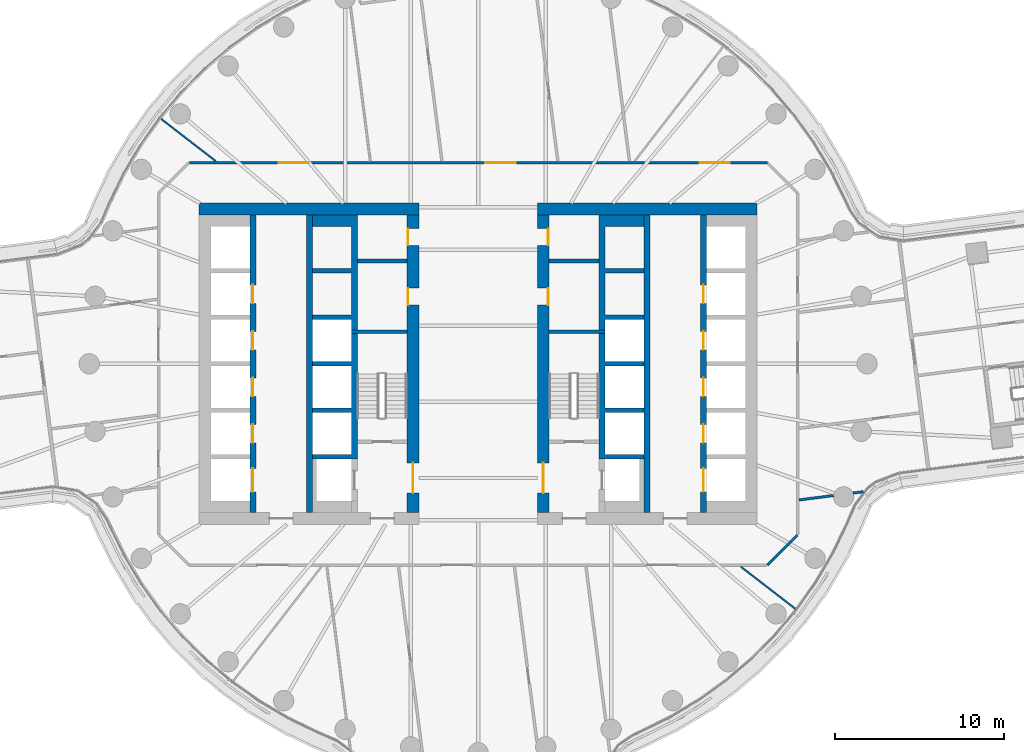
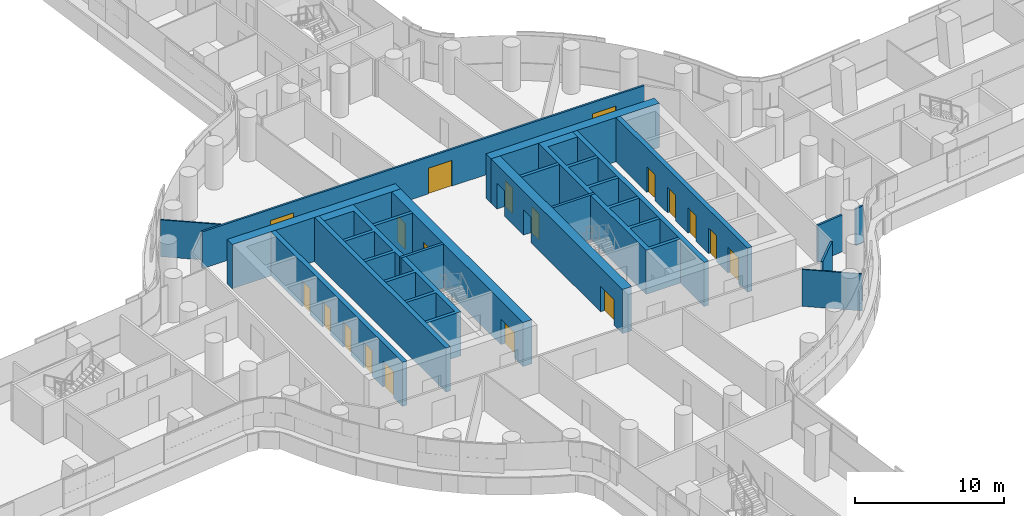
# One storey, part 21 of 31: 20 walls, 19 doors, 19 openings.
"""IFC4 building model written with IfcOpenShell, lengths in metres."""

from ifc_helpers import new_model, si_unit, direction, frame, frame_2d, origin, place, context, subcontext, project, spatial, polyline, rectangle, outline, extrude, material, layer, layer_set, type_object, element, fill, save


model = new_model("IFC4")

# Units and contexts
model_context = context("Model", 3, precision=1e-05, world=origin(), true_north=direction((0.0, 1.0)))
body_context = subcontext(model_context, "Body", "Model", "MODEL_VIEW")
ifc_project = project(units=[si_unit("LENGTHUNIT", "METRE"), si_unit("AREAUNIT", "SQUARE_METRE"), si_unit("VOLUMEUNIT", "CUBIC_METRE"), si_unit("PLANEANGLEUNIT", "RADIAN"), si_unit("MASSUNIT", "GRAM", prefix="KILO")], contexts=[model_context])

# Site, building, storey
site_placement = place(None, origin())
site = spatial("IfcSite", under=ifc_project, at=site_placement, CompositionType="ELEMENT")
building_placement = place(site_placement, origin())
building = spatial("IfcBuilding", under=site, at=building_placement, Name="Tamarind Cross Interchange Tower", CompositionType="ELEMENT")
storey_placement = place(building_placement, frame((0.0, 0.0, 60.25)))
storey = spatial("IfcBuildingStorey", under=building, at=storey_placement, Name="L13", CompositionType="ELEMENT", Elevation=60.25)

# Wall
ifc_material_1 = material(Name="Concrete C80", Category="concrete")
ifc_layer_1 = layer(ifc_material_1, 0.699951171875)
ifc_layer_set_1 = layer_set([ifc_layer_1], Name="Concrete C80")
wall_type_1 = type_object("IfcWallType", Name="Core wall 700 mm Concrete C80", PredefinedType="SHEAR", material=ifc_layer_set_1)
wall_1_placement = place(storey_placement, frame((-16.5, 9.14990234375, 0.0), z_axis=(0.0, 0.0, 1.0), x_axis=(1.0, 0.0, 0.0)))
element("IfcWall", 1, at=wall_1_placement, inside=storey, type_object=wall_type_1, Name="Core wall CWL-L13-W-NE", PredefinedType="SHEAR", context=body_context, shape_type="SweptSolid", body=[
    extrude(rectangle(XDim=13.0, YDim=0.699951171875, at=frame_2d((6.5, 0.0))), origin(), (0.0, 0.0, 1.0), 3.610107421875),
])

# Wall, openings, doors
wall_2_placement = place(storey_placement, frame((-3.85009765625, -8.800048828125, 0.0), z_axis=(0.0, 0.0, 1.0), x_axis=(0.0, 1.0, 0.0)))
wall_2 = element("IfcWall", 2, at=wall_2_placement, inside=storey, type_object=wall_type_1, Name="Core wall CWL-L13-W-IN", PredefinedType="SHEAR", context=body_context, shape_type="SweptSolid", body=[
    extrude(rectangle(XDim=17.60009765625, YDim=0.699951171875, at=frame_2d((8.800048828125, 0.0))), origin(), (0.0, 0.0, 1.0), 3.610107421875),
])
opening_1_placement = place(wall_2_placement, frame((1.14990234375, 0.0, 0.0)))
opening_1 = element("IfcOpeningElement", 3, at=opening_1_placement, cuts=wall_2, Name="Opening DCW4", PredefinedType="OPENING", context=body_context, shape_type="SweptSolid", body=[
    extrude(rectangle(XDim=1.800048828125, YDim=2.10009765625, at=frame_2d((0.89990234375, 1.050048828125))), frame((0.0, 0.35986328125, 0.0), z_axis=(0.0, -1.0, 0.0), x_axis=(1.0, 0.0, 0.0)), (0.0, 0.0, 1.0), 0.719970703125),
])
opening_2_placement = place(wall_2_placement, frame((12.277587890625, 0.0, 0.0)))
opening_2 = element("IfcOpeningElement", 4, at=opening_2_placement, cuts=wall_2, Name="Opening DCW5", PredefinedType="OPENING", context=body_context, shape_type="SweptSolid", body=[
    extrude(rectangle(XDim=1.0, YDim=2.10009765625, at=frame_2d((0.5, 1.050048828125))), frame((0.0, 0.35986328125, 0.0), z_axis=(0.0, -1.0, 0.0), x_axis=(1.0, 0.0, 0.0)), (0.0, 0.0, 1.0), 0.719970703125),
])
opening_3_placement = place(wall_2_placement, frame((15.802490234375, 0.0, 0.0)))
opening_3 = element("IfcOpeningElement", 5, at=opening_3_placement, cuts=wall_2, Name="Opening DCW5", PredefinedType="OPENING", context=body_context, shape_type="SweptSolid", body=[
    extrude(rectangle(XDim=1.0, YDim=2.10009765625, at=frame_2d((0.5, 1.050048828125))), frame((0.0, 0.35986328125, 0.0), z_axis=(0.0, -1.0, 0.0), x_axis=(1.0, 0.0, 0.0)), (0.0, 0.0, 1.0), 0.719970703125),
])
ifc_material_2 = material(Name="Steel, fire-resisting", Category="steel")
door_type_1 = type_object("IfcDoorType", Name="Core fire door 1000 x 2100 FD90", OperationType="SINGLE_SWING_LEFT", PredefinedType="DOOR", material=ifc_material_2)
door_1_placement = place(opening_2_placement, origin())
door_1 = element("IfcDoor", 6, at=door_1_placement, inside=storey, type_object=door_type_1, Name="L13 cleaner's store door", OperationType="SINGLE_SWING_LEFT", OverallHeight=2.10009765625, OverallWidth=1.0, PredefinedType="DOOR", context=body_context, shape_type="SweptSolid", body=[
    extrude(rectangle(XDim=1.0, YDim=2.10009765625, at=frame_2d((0.5, 1.050048828125))), frame((0.0, 0.3251953125, 0.0), z_axis=(0.0, -1.0, 0.0), x_axis=(1.0, 0.0, 0.0)), (0.0, 0.0, 1.0), 0.050048828125),
])
fill(opening_2, door_1)
door_2_placement = place(opening_3_placement, origin())
door_2 = element("IfcDoor", 7, at=door_2_placement, inside=storey, type_object=door_type_1, Name="L13 comms room door", OperationType="SINGLE_SWING_LEFT", OverallHeight=2.10009765625, OverallWidth=1.0, PredefinedType="DOOR", context=body_context, shape_type="SweptSolid", body=[
    extrude(rectangle(XDim=1.0, YDim=2.10009765625, at=frame_2d((0.5, 1.050048828125))), frame((0.0, 0.3251953125, 0.0), z_axis=(0.0, -1.0, 0.0), x_axis=(1.0, 0.0, 0.0)), (0.0, 0.0, 1.0), 0.050048828125),
])
fill(opening_3, door_2)
door_type_2 = type_object("IfcDoorType", Name="Core fire door 1800 x 2100 FD90", OperationType="SINGLE_SWING_LEFT", PredefinedType="DOOR", material=ifc_material_2)
door_3_placement = place(opening_1_placement, origin())
door_3 = element("IfcDoor", 8, at=door_3_placement, inside=storey, type_object=door_type_2, Name="L13 firefighting lobby door", OperationType="SINGLE_SWING_LEFT", OverallHeight=2.10009765625, OverallWidth=1.800048828125, PredefinedType="DOOR", context=body_context, shape_type="SweptSolid", body=[
    extrude(rectangle(XDim=1.800048828125, YDim=2.10009765625, at=frame_2d((0.89990234375, 1.050048828125))), frame((0.0, 0.02490234375, 0.0), z_axis=(0.0, -1.0, 0.0), x_axis=(1.0, 0.0, 0.0)), (0.0, 0.0, 1.0), 0.050048828125),
])
fill(opening_1, door_3)

# Wall
wall_3_placement = place(storey_placement, frame((16.5, 9.14990234375, 0.0), z_axis=(0.0, 0.0, 1.0), x_axis=(-1.0, 0.0, 0.0)))
element("IfcWall", 9, at=wall_3_placement, inside=storey, type_object=wall_type_1, Name="Core wall CWL-L13-E-NE", PredefinedType="SHEAR", context=body_context, shape_type="SweptSolid", body=[
    extrude(rectangle(XDim=13.0, YDim=0.699951171875, at=frame_2d((6.5, 0.0))), origin(), (0.0, 0.0, 1.0), 3.610107421875),
])

# Wall, openings, doors
wall_4_placement = place(storey_placement, frame((3.85009765625, -8.800048828125, 0.0), z_axis=(0.0, 0.0, 1.0), x_axis=(0.0, 1.0, 0.0)))
wall_4 = element("IfcWall", 10, at=wall_4_placement, inside=storey, type_object=wall_type_1, Name="Core wall CWL-L13-E-IN", PredefinedType="SHEAR", context=body_context, shape_type="SweptSolid", body=[
    extrude(rectangle(XDim=17.60009765625, YDim=0.699951171875, at=frame_2d((8.800048828125, 0.0))), origin(), (0.0, 0.0, 1.0), 3.610107421875),
])
opening_4_placement = place(wall_4_placement, frame((1.14990234375, 0.0, 0.0)))
opening_4 = element("IfcOpeningElement", 11, at=opening_4_placement, cuts=wall_4, Name="Opening DCE4", PredefinedType="OPENING", context=body_context, shape_type="SweptSolid", body=[
    extrude(rectangle(XDim=1.800048828125, YDim=2.10009765625, at=frame_2d((0.89990234375, 1.050048828125))), frame((0.0, 0.35986328125, 0.0), z_axis=(0.0, -1.0, 0.0), x_axis=(1.0, 0.0, 0.0)), (0.0, 0.0, 1.0), 0.719970703125),
])
opening_5_placement = place(wall_4_placement, frame((12.277587890625, 0.0, 0.0)))
opening_5 = element("IfcOpeningElement", 12, at=opening_5_placement, cuts=wall_4, Name="Opening DCE5", PredefinedType="OPENING", context=body_context, shape_type="SweptSolid", body=[
    extrude(rectangle(XDim=1.0, YDim=2.10009765625, at=frame_2d((0.5, 1.050048828125))), frame((0.0, 0.35986328125, 0.0), z_axis=(0.0, -1.0, 0.0), x_axis=(1.0, 0.0, 0.0)), (0.0, 0.0, 1.0), 0.719970703125),
])
opening_6_placement = place(wall_4_placement, frame((15.802490234375, 0.0, 0.0)))
opening_6 = element("IfcOpeningElement", 13, at=opening_6_placement, cuts=wall_4, Name="Opening DCE5", PredefinedType="OPENING", context=body_context, shape_type="SweptSolid", body=[
    extrude(rectangle(XDim=1.0, YDim=2.10009765625, at=frame_2d((0.5, 1.050048828125))), frame((0.0, 0.35986328125, 0.0), z_axis=(0.0, -1.0, 0.0), x_axis=(1.0, 0.0, 0.0)), (0.0, 0.0, 1.0), 0.719970703125),
])
door_4_placement = place(opening_5_placement, origin())
door_4 = element("IfcDoor", 14, at=door_4_placement, inside=storey, type_object=door_type_1, Name="L13 cleaner's store door", OperationType="SINGLE_SWING_LEFT", OverallHeight=2.10009765625, OverallWidth=1.0, PredefinedType="DOOR", context=body_context, shape_type="SweptSolid", body=[
    extrude(rectangle(XDim=1.0, YDim=2.10009765625, at=frame_2d((0.5, 1.050048828125))), frame((0.0, -0.27490234375, 0.0), z_axis=(0.0, -1.0, 0.0), x_axis=(1.0, 0.0, 0.0)), (0.0, 0.0, 1.0), 0.050048828125),
])
fill(opening_5, door_4)
door_5_placement = place(opening_6_placement, origin())
door_5 = element("IfcDoor", 15, at=door_5_placement, inside=storey, type_object=door_type_1, Name="L13 comms room door", OperationType="SINGLE_SWING_LEFT", OverallHeight=2.10009765625, OverallWidth=1.0, PredefinedType="DOOR", context=body_context, shape_type="SweptSolid", body=[
    extrude(rectangle(XDim=1.0, YDim=2.10009765625, at=frame_2d((0.5, 1.050048828125))), frame((0.0, -0.27490234375, 0.0), z_axis=(0.0, -1.0, 0.0), x_axis=(1.0, 0.0, 0.0)), (0.0, 0.0, 1.0), 0.050048828125),
])
fill(opening_6, door_5)
door_6_placement = place(opening_4_placement, origin())
door_6 = element("IfcDoor", 16, at=door_6_placement, inside=storey, type_object=door_type_2, Name="L13 firefighting lobby door", OperationType="SINGLE_SWING_LEFT", OverallHeight=2.10009765625, OverallWidth=1.800048828125, PredefinedType="DOOR", context=body_context, shape_type="SweptSolid", body=[
    extrude(rectangle(XDim=1.800048828125, YDim=2.10009765625, at=frame_2d((0.89990234375, 1.050048828125))), frame((0.0, 0.02490234375, 0.0), z_axis=(0.0, -1.0, 0.0), x_axis=(1.0, 0.0, 0.0)), (0.0, 0.0, 1.0), 0.050048828125),
])
fill(opening_4, door_6)

# Walls
ifc_layer_2 = layer(ifc_material_1, 0.199951171875)
ifc_layer_set_2 = layer_set([ifc_layer_2], Name="Concrete C80")
wall_type_2 = type_object("IfcWallType", Name="Core web wall 200 mm Concrete C80", PredefinedType="SHEAR", material=ifc_layer_set_2)
for number, where, z_axis, x_axis, name in (
    (17, (-7.5, 1.89990234375, 0.0), (0.0, 0.0, 1.0), (1.0, 0.0, 0.0), "Core wall CWL-L13-W-BD"),
    (18, (7.5, 1.89990234375, 0.0), (0.0, 0.0, 1.0), (-1.0, 0.0, 0.0), "Core wall CWL-L13-E-BD"),
):
    element("IfcWall", number, at=place(storey_placement, frame(where, z_axis=z_axis, x_axis=x_axis)), inside=storey, type_object=wall_type_2, Name=name, PredefinedType="SHEAR", context=body_context, shape_type="SweptSolid", body=[
        extrude(rectangle(XDim=3.300048828125, YDim=0.199951171875, at=frame_2d((1.64990234375, 0.0))), origin(), (0.0, 0.0, 1.0), 3.610107421875),
    ])
ifc_layer_3 = layer(ifc_material_1, 0.35009765625)
ifc_layer_set_3 = layer_set([ifc_layer_3], Name="Concrete C80")
wall_type_3 = type_object("IfcWallType", Name="Core web wall 350 mm Concrete C80", PredefinedType="SHEAR", material=ifc_layer_set_3)
wall_5_placement = place(storey_placement, origin())
element("IfcWall", 19, at=wall_5_placement, inside=storey, type_object=wall_type_3, Name="Core wall CWL-L13-W-BN", PredefinedType="SHEAR", context=body_context, shape_type="SweptSolid", body=[
    extrude(outline(polyline([(-9.800048828125, -5.375), (-9.800048828125, -5.625), (-7.5, -5.625), (-7.14990234375, -5.625), (-7.14990234375, 8.800048828125), (-7.5, 8.800048828125), (-9.800048828125, 8.800048828125), (-9.800048828125, 8.125), (-7.5, 8.125), (-7.5, 5.625), (-9.800048828125, 5.625), (-9.800048828125, 5.375), (-7.5, 5.375), (-7.5, 2.875), (-9.800048828125, 2.875), (-9.800048828125, 2.625), (-7.5, 2.625), (-7.5, 0.125), (-9.800048828125, 0.125), (-9.800048828125, -0.125), (-7.5, -0.125), (-7.5, -2.625), (-9.800048828125, -2.625), (-9.800048828125, -2.875), (-7.5, -2.875), (-7.5, -5.375), (-9.800048828125, -5.375)])), origin(), (0.0, 0.0, 1.0), 3.610107421875),
])

# Wall, openings, doors
wall_6_placement = place(storey_placement, frame((-13.324951171875, -8.800048828125, 0.0), z_axis=(0.0, 0.0, 1.0), x_axis=(0.0, 1.0, 0.0)))
wall_6 = element("IfcWall", 20, at=wall_6_placement, inside=storey, type_object=wall_type_3, Name="Core wall CWL-L13-W-LA", PredefinedType="SHEAR", context=body_context, shape_type="SweptSolid", body=[
    extrude(rectangle(XDim=17.60009765625, YDim=0.35009765625, at=frame_2d((8.800048828125, 0.0))), origin(), (0.0, 0.0, 1.0), 3.610107421875),
])
opening_7_placement = place(wall_6_placement, frame((1.22509765625, 0.0, 0.0)))
opening_7 = element("IfcOpeningElement", 21, at=opening_7_placement, cuts=wall_6, Name="Opening LD1L13", PredefinedType="OPENING", context=body_context, shape_type="SweptSolid", body=[
    extrude(rectangle(XDim=1.39990234375, YDim=2.10009765625, at=frame_2d((0.699951171875, 1.050048828125))), frame((0.0, 0.18505859375, 0.0), z_axis=(0.0, -1.0, 0.0), x_axis=(1.0, 0.0, 0.0)), (0.0, 0.0, 1.0), 0.3701171875),
])
opening_8_placement = place(wall_6_placement, frame((4.125, 0.0, 0.0)))
opening_8 = element("IfcOpeningElement", 22, at=opening_8_placement, cuts=wall_6, Name="Opening LD2L13", PredefinedType="OPENING", context=body_context, shape_type="SweptSolid", body=[
    extrude(rectangle(XDim=1.10009765625, YDim=2.10009765625, at=frame_2d((0.550048828125, 1.050048828125))), frame((0.0, 0.18505859375, 0.0), z_axis=(0.0, -1.0, 0.0), x_axis=(1.0, 0.0, 0.0)), (0.0, 0.0, 1.0), 0.3701171875),
])
opening_9_placement = place(wall_6_placement, frame((6.875, 0.0, 0.0)))
opening_9 = element("IfcOpeningElement", 23, at=opening_9_placement, cuts=wall_6, Name="Opening LD3L13", PredefinedType="OPENING", context=body_context, shape_type="SweptSolid", body=[
    extrude(rectangle(XDim=1.10009765625, YDim=2.10009765625, at=frame_2d((0.550048828125, 1.050048828125))), frame((0.0, 0.18505859375, 0.0), z_axis=(0.0, -1.0, 0.0), x_axis=(1.0, 0.0, 0.0)), (0.0, 0.0, 1.0), 0.3701171875),
])
opening_10_placement = place(wall_6_placement, frame((9.625, 0.0, 0.0)))
opening_10 = element("IfcOpeningElement", 24, at=opening_10_placement, cuts=wall_6, Name="Opening LD4L13", PredefinedType="OPENING", context=body_context, shape_type="SweptSolid", body=[
    extrude(rectangle(XDim=1.10009765625, YDim=2.10009765625, at=frame_2d((0.550048828125, 1.050048828125))), frame((0.0, 0.18505859375, 0.0), z_axis=(0.0, -1.0, 0.0), x_axis=(1.0, 0.0, 0.0)), (0.0, 0.0, 1.0), 0.3701171875),
])
opening_11_placement = place(wall_6_placement, frame((12.375, 0.0, 0.0)))
opening_11 = element("IfcOpeningElement", 25, at=opening_11_placement, cuts=wall_6, Name="Opening LD5L13", PredefinedType="OPENING", context=body_context, shape_type="SweptSolid", body=[
    extrude(rectangle(XDim=1.10009765625, YDim=2.10009765625, at=frame_2d((0.550048828125, 1.050048828125))), frame((0.0, 0.18505859375, 0.0), z_axis=(0.0, -1.0, 0.0), x_axis=(1.0, 0.0, 0.0)), (0.0, 0.0, 1.0), 0.3701171875),
])
ifc_material_3 = material(Name="Stainless steel panel", Category="steel")
door_type_3 = type_object("IfcDoorType", Name="Lift landing door 1100 x 2100 E 120", OperationType="SLIDING_TO_LEFT", PredefinedType="DOOR", material=ifc_material_3)
door_7_placement = place(opening_8_placement, origin())
door_7 = element("IfcDoor", 26, at=door_7_placement, inside=storey, type_object=door_type_3, Name="L13 landing door LF2", OperationType="SLIDING_TO_LEFT", OverallHeight=2.10009765625, OverallWidth=1.10009765625, PredefinedType="DOOR", context=body_context, shape_type="SweptSolid", body=[
    extrude(rectangle(XDim=1.10009765625, YDim=2.10009765625, at=frame_2d((0.550048828125, 1.050048828125))), frame((0.0, 0.02490234375, 0.0), z_axis=(0.0, -1.0, 0.0), x_axis=(1.0, 0.0, 0.0)), (0.0, 0.0, 1.0), 0.050048828125),
])
fill(opening_8, door_7)
door_8_placement = place(opening_9_placement, origin())
door_8 = element("IfcDoor", 27, at=door_8_placement, inside=storey, type_object=door_type_3, Name="L13 landing door LF3", OperationType="SLIDING_TO_LEFT", OverallHeight=2.10009765625, OverallWidth=1.10009765625, PredefinedType="DOOR", context=body_context, shape_type="SweptSolid", body=[
    extrude(rectangle(XDim=1.10009765625, YDim=2.10009765625, at=frame_2d((0.550048828125, 1.050048828125))), frame((0.0, 0.02490234375, 0.0), z_axis=(0.0, -1.0, 0.0), x_axis=(1.0, 0.0, 0.0)), (0.0, 0.0, 1.0), 0.050048828125),
])
fill(opening_9, door_8)
door_9_placement = place(opening_10_placement, origin())
door_9 = element("IfcDoor", 28, at=door_9_placement, inside=storey, type_object=door_type_3, Name="L13 landing door LF4", OperationType="SLIDING_TO_LEFT", OverallHeight=2.10009765625, OverallWidth=1.10009765625, PredefinedType="DOOR", context=body_context, shape_type="SweptSolid", body=[
    extrude(rectangle(XDim=1.10009765625, YDim=2.10009765625, at=frame_2d((0.550048828125, 1.050048828125))), frame((0.0, 0.02490234375, 0.0), z_axis=(0.0, -1.0, 0.0), x_axis=(1.0, 0.0, 0.0)), (0.0, 0.0, 1.0), 0.050048828125),
])
fill(opening_10, door_9)
door_10_placement = place(opening_11_placement, origin())
door_10 = element("IfcDoor", 29, at=door_10_placement, inside=storey, type_object=door_type_3, Name="L13 landing door LF5", OperationType="SLIDING_TO_LEFT", OverallHeight=2.10009765625, OverallWidth=1.10009765625, PredefinedType="DOOR", context=body_context, shape_type="SweptSolid", body=[
    extrude(rectangle(XDim=1.10009765625, YDim=2.10009765625, at=frame_2d((0.550048828125, 1.050048828125))), frame((0.0, 0.02490234375, 0.0), z_axis=(0.0, -1.0, 0.0), x_axis=(1.0, 0.0, 0.0)), (0.0, 0.0, 1.0), 0.050048828125),
])
fill(opening_11, door_10)
door_type_4 = type_object("IfcDoorType", Name="Lift landing door 1400 x 2100 E 120", OperationType="SLIDING_TO_LEFT", PredefinedType="DOOR", material=ifc_material_3)
door_11_placement = place(opening_7_placement, origin())
door_11 = element("IfcDoor", 30, at=door_11_placement, inside=storey, type_object=door_type_4, Name="L13 landing door LF1", OperationType="SLIDING_TO_LEFT", OverallHeight=2.10009765625, OverallWidth=1.39990234375, PredefinedType="DOOR", context=body_context, shape_type="SweptSolid", body=[
    extrude(rectangle(XDim=1.39990234375, YDim=2.10009765625, at=frame_2d((0.699951171875, 1.050048828125))), frame((0.0, 0.02490234375, 0.0), z_axis=(0.0, -1.0, 0.0), x_axis=(1.0, 0.0, 0.0)), (0.0, 0.0, 1.0), 0.050048828125),
])
fill(opening_7, door_11)

# Walls
wall_7_placement = place(storey_placement, frame((-9.97509765625, -8.800048828125, 0.0), z_axis=(0.0, 0.0, 1.0), x_axis=(0.0, 1.0, 0.0)))
element("IfcWall", 31, at=wall_7_placement, inside=storey, type_object=wall_type_3, Name="Core wall CWL-L13-W-LB", PredefinedType="SHEAR", context=body_context, shape_type="SweptSolid", body=[
    extrude(rectangle(XDim=17.60009765625, YDim=0.35009765625, at=frame_2d((8.800048828125, 0.0))), origin(), (0.0, 0.0, 1.0), 3.610107421875),
])
wall_8_placement = place(storey_placement, origin())
element("IfcWall", 32, at=wall_8_placement, inside=storey, type_object=wall_type_3, Name="Core wall CWL-L13-E-BN", PredefinedType="SHEAR", context=body_context, shape_type="SweptSolid", body=[
    extrude(outline(polyline([(9.800048828125, -5.375), (7.5, -5.375), (7.5, -2.875), (9.800048828125, -2.875), (9.800048828125, -2.625), (7.5, -2.625), (7.5, -0.125), (9.800048828125, -0.125), (9.800048828125, 0.125), (7.5, 0.125), (7.5, 2.625), (9.800048828125, 2.625), (9.800048828125, 2.875), (7.5, 2.875), (7.5, 5.375), (9.800048828125, 5.375), (9.800048828125, 5.625), (7.5, 5.625), (7.5, 8.125), (9.800048828125, 8.125), (9.800048828125, 8.800048828125), (7.5, 8.800048828125), (7.14990234375, 8.800048828125), (7.14990234375, -5.625), (7.5, -5.625), (9.800048828125, -5.625), (9.800048828125, -5.375)])), origin(), (0.0, 0.0, 1.0), 3.610107421875),
])

# Wall, openings, doors
wall_9_placement = place(storey_placement, frame((13.324951171875, -8.800048828125, 0.0), z_axis=(0.0, 0.0, 1.0), x_axis=(0.0, 1.0, 0.0)))
wall_9 = element("IfcWall", 33, at=wall_9_placement, inside=storey, type_object=wall_type_3, Name="Core wall CWL-L13-E-LA", PredefinedType="SHEAR", context=body_context, shape_type="SweptSolid", body=[
    extrude(rectangle(XDim=17.60009765625, YDim=0.35009765625, at=frame_2d((8.800048828125, 0.0))), origin(), (0.0, 0.0, 1.0), 3.610107421875),
])
opening_12_placement = place(wall_9_placement, frame((1.22509765625, 0.0, 0.0)))
opening_12 = element("IfcOpeningElement", 34, at=opening_12_placement, cuts=wall_9, Name="Opening LD13L13", PredefinedType="OPENING", context=body_context, shape_type="SweptSolid", body=[
    extrude(rectangle(XDim=1.39990234375, YDim=2.10009765625, at=frame_2d((0.699951171875, 1.050048828125))), frame((0.0, 0.18505859375, 0.0), z_axis=(0.0, -1.0, 0.0), x_axis=(1.0, 0.0, 0.0)), (0.0, 0.0, 1.0), 0.3701171875),
])
opening_13_placement = place(wall_9_placement, frame((4.125, 0.0, 0.0)))
opening_13 = element("IfcOpeningElement", 35, at=opening_13_placement, cuts=wall_9, Name="Opening LD14L13", PredefinedType="OPENING", context=body_context, shape_type="SweptSolid", body=[
    extrude(rectangle(XDim=1.10009765625, YDim=2.10009765625, at=frame_2d((0.550048828125, 1.050048828125))), frame((0.0, 0.18505859375, 0.0), z_axis=(0.0, -1.0, 0.0), x_axis=(1.0, 0.0, 0.0)), (0.0, 0.0, 1.0), 0.3701171875),
])
opening_14_placement = place(wall_9_placement, frame((6.875, 0.0, 0.0)))
opening_14 = element("IfcOpeningElement", 36, at=opening_14_placement, cuts=wall_9, Name="Opening LD15L13", PredefinedType="OPENING", context=body_context, shape_type="SweptSolid", body=[
    extrude(rectangle(XDim=1.10009765625, YDim=2.10009765625, at=frame_2d((0.550048828125, 1.050048828125))), frame((0.0, 0.18505859375, 0.0), z_axis=(0.0, -1.0, 0.0), x_axis=(1.0, 0.0, 0.0)), (0.0, 0.0, 1.0), 0.3701171875),
])
opening_15_placement = place(wall_9_placement, frame((9.625, 0.0, 0.0)))
opening_15 = element("IfcOpeningElement", 37, at=opening_15_placement, cuts=wall_9, Name="Opening LD16L13", PredefinedType="OPENING", context=body_context, shape_type="SweptSolid", body=[
    extrude(rectangle(XDim=1.10009765625, YDim=2.10009765625, at=frame_2d((0.550048828125, 1.050048828125))), frame((0.0, 0.18505859375, 0.0), z_axis=(0.0, -1.0, 0.0), x_axis=(1.0, 0.0, 0.0)), (0.0, 0.0, 1.0), 0.3701171875),
])
opening_16_placement = place(wall_9_placement, frame((12.375, 0.0, 0.0)))
opening_16 = element("IfcOpeningElement", 38, at=opening_16_placement, cuts=wall_9, Name="Opening LD17L13", PredefinedType="OPENING", context=body_context, shape_type="SweptSolid", body=[
    extrude(rectangle(XDim=1.10009765625, YDim=2.10009765625, at=frame_2d((0.550048828125, 1.050048828125))), frame((0.0, 0.18505859375, 0.0), z_axis=(0.0, -1.0, 0.0), x_axis=(1.0, 0.0, 0.0)), (0.0, 0.0, 1.0), 0.3701171875),
])
door_12_placement = place(opening_13_placement, origin())
door_12 = element("IfcDoor", 39, at=door_12_placement, inside=storey, type_object=door_type_3, Name="L13 landing door LF14", OperationType="SLIDING_TO_LEFT", OverallHeight=2.10009765625, OverallWidth=1.10009765625, PredefinedType="DOOR", context=body_context, shape_type="SweptSolid", body=[
    extrude(rectangle(XDim=1.10009765625, YDim=2.10009765625, at=frame_2d((0.550048828125, 1.050048828125))), frame((0.0, 0.02490234375, 0.0), z_axis=(0.0, -1.0, 0.0), x_axis=(1.0, 0.0, 0.0)), (0.0, 0.0, 1.0), 0.050048828125),
])
fill(opening_13, door_12)
door_13_placement = place(opening_14_placement, origin())
door_13 = element("IfcDoor", 40, at=door_13_placement, inside=storey, type_object=door_type_3, Name="L13 landing door LF15", OperationType="SLIDING_TO_LEFT", OverallHeight=2.10009765625, OverallWidth=1.10009765625, PredefinedType="DOOR", context=body_context, shape_type="SweptSolid", body=[
    extrude(rectangle(XDim=1.10009765625, YDim=2.10009765625, at=frame_2d((0.550048828125, 1.050048828125))), frame((0.0, 0.02490234375, 0.0), z_axis=(0.0, -1.0, 0.0), x_axis=(1.0, 0.0, 0.0)), (0.0, 0.0, 1.0), 0.050048828125),
])
fill(opening_14, door_13)
door_14_placement = place(opening_15_placement, origin())
door_14 = element("IfcDoor", 41, at=door_14_placement, inside=storey, type_object=door_type_3, Name="L13 landing door LF16", OperationType="SLIDING_TO_LEFT", OverallHeight=2.10009765625, OverallWidth=1.10009765625, PredefinedType="DOOR", context=body_context, shape_type="SweptSolid", body=[
    extrude(rectangle(XDim=1.10009765625, YDim=2.10009765625, at=frame_2d((0.550048828125, 1.050048828125))), frame((0.0, 0.02490234375, 0.0), z_axis=(0.0, -1.0, 0.0), x_axis=(1.0, 0.0, 0.0)), (0.0, 0.0, 1.0), 0.050048828125),
])
fill(opening_15, door_14)
door_15_placement = place(opening_16_placement, origin())
door_15 = element("IfcDoor", 42, at=door_15_placement, inside=storey, type_object=door_type_3, Name="L13 landing door LF17", OperationType="SLIDING_TO_LEFT", OverallHeight=2.10009765625, OverallWidth=1.10009765625, PredefinedType="DOOR", context=body_context, shape_type="SweptSolid", body=[
    extrude(rectangle(XDim=1.10009765625, YDim=2.10009765625, at=frame_2d((0.550048828125, 1.050048828125))), frame((0.0, 0.02490234375, 0.0), z_axis=(0.0, -1.0, 0.0), x_axis=(1.0, 0.0, 0.0)), (0.0, 0.0, 1.0), 0.050048828125),
])
fill(opening_16, door_15)
door_16_placement = place(opening_12_placement, origin())
door_16 = element("IfcDoor", 43, at=door_16_placement, inside=storey, type_object=door_type_4, Name="L13 landing door LF13", OperationType="SLIDING_TO_LEFT", OverallHeight=2.10009765625, OverallWidth=1.39990234375, PredefinedType="DOOR", context=body_context, shape_type="SweptSolid", body=[
    extrude(rectangle(XDim=1.39990234375, YDim=2.10009765625, at=frame_2d((0.699951171875, 1.050048828125))), frame((0.0, 0.02490234375, 0.0), z_axis=(0.0, -1.0, 0.0), x_axis=(1.0, 0.0, 0.0)), (0.0, 0.0, 1.0), 0.050048828125),
])
fill(opening_12, door_16)

# Walls
wall_10_placement = place(storey_placement, frame((9.97509765625, -8.800048828125, 0.0), z_axis=(0.0, 0.0, 1.0), x_axis=(0.0, 1.0, 0.0)))
element("IfcWall", 44, at=wall_10_placement, inside=storey, type_object=wall_type_3, Name="Core wall CWL-L13-E-LB", PredefinedType="SHEAR", context=body_context, shape_type="SweptSolid", body=[
    extrude(rectangle(XDim=17.60009765625, YDim=0.35009765625, at=frame_2d((8.800048828125, 0.0))), origin(), (0.0, 0.0, 1.0), 3.610107421875),
])
ifc_material_4 = material(Name="Gypsum board partition on steel studs", Category="steel")
ifc_layer_4 = layer(ifc_material_4, 0.10009765625)
ifc_layer_set_4 = layer_set([ifc_layer_4], Name="Gypsum board partition on steel studs")
wall_type_4 = type_object("IfcWallType", Name="Partition 100 mm EI 120", PredefinedType="PARTITIONING", material=ifc_layer_set_4)
wall_11_placement = place(storey_placement, frame((-18.750732421875, 14.485107421875, 0.0), z_axis=(0.0, 0.0, 1.0), x_axis=(0.791390423198, -0.611311048542, 0.0)))
element("IfcWall", 45, at=wall_11_placement, inside=storey, type_object=wall_type_4, Name="Partition L13-031", PredefinedType="PARTITIONING", context=body_context, shape_type="SweptSolid", body=[
    extrude(rectangle(XDim=4.073974609375, YDim=0.10009765625, at=frame_2d((2.037109375, 0.0))), origin(), (0.0, 0.0, 1.0), 3.010009765625),
])
wall_12_placement = place(storey_placement, frame((15.532470703125, -11.995361328125, 0.0), z_axis=(0.0, 0.0, 1.0), x_axis=(0.791409022747, -0.6112869692, 0.0)))
element("IfcWall", 46, at=wall_12_placement, inside=storey, type_object=wall_type_4, Name="Partition L13-032", PredefinedType="PARTITIONING", context=body_context, shape_type="SweptSolid", body=[
    extrude(rectangle(XDim=4.06884765625, YDim=0.10009765625, at=frame_2d((2.034423828125, 0.0))), origin(), (0.0, 0.0, 1.0), 3.010009765625),
])

# Wall, openings, doors
ifc_layer_5 = layer(ifc_material_4, 0.14990234375)
ifc_layer_set_5 = layer_set([ifc_layer_5], Name="Gypsum board partition on steel studs")
wall_type_5 = type_object("IfcWallType", Name="Partition 150 mm EI 120", PredefinedType="PARTITIONING", material=ifc_layer_set_5)
wall_13_placement = place(storey_placement, frame((-17.06494140625, 11.89990234375, 0.0), z_axis=(0.0, 0.0, 1.0), x_axis=(1.0, 0.0, 0.0)))
wall_13 = element("IfcWall", 47, at=wall_13_placement, inside=storey, type_object=wall_type_5, Name="Partition L13-034", PredefinedType="PARTITIONING", context=body_context, shape_type="SweptSolid", body=[
    extrude(rectangle(XDim=34.1650390625, YDim=0.14990234375, at=frame_2d((17.08251953125, 0.0))), origin(), (0.0, 0.0, 1.0), 3.010009765625),
])
opening_17_placement = place(wall_13_placement, frame((17.48291015625, 0.0, 0.0)))
opening_17 = element("IfcOpeningElement", 48, at=opening_17_placement, cuts=wall_13, Name="Opening D21", PredefinedType="OPENING", context=body_context, shape_type="SweptSolid", body=[
    extrude(rectangle(XDim=1.800048828125, YDim=2.10009765625, at=frame_2d((0.89990234375, 1.050048828125))), frame((0.0, 0.0849609375, 0.0), z_axis=(0.0, -1.0, 0.0), x_axis=(1.0, 0.0, 0.0)), (0.0, 0.0, 1.0), 0.169921875),
])
opening_18_placement = place(wall_13_placement, frame((30.157958984375, 0.0, 0.0)))
opening_18 = element("IfcOpeningElement", 49, at=opening_18_placement, cuts=wall_13, Name="Opening D22", PredefinedType="OPENING", context=body_context, shape_type="SweptSolid", body=[
    extrude(rectangle(XDim=1.800048828125, YDim=2.10009765625, at=frame_2d((0.89990234375, 1.050048828125))), frame((0.0, 0.0849609375, 0.0), z_axis=(0.0, -1.0, 0.0), x_axis=(1.0, 0.0, 0.0)), (0.0, 0.0, 1.0), 0.169921875),
])
opening_19_placement = place(wall_13_placement, frame((5.260986328125, 0.0, 0.0)))
opening_19 = element("IfcOpeningElement", 50, at=opening_19_placement, cuts=wall_13, Name="Opening D23", PredefinedType="OPENING", context=body_context, shape_type="SweptSolid", body=[
    extrude(rectangle(XDim=1.800048828125, YDim=2.10009765625, at=frame_2d((0.89990234375, 1.050048828125))), frame((0.0, 0.0849609375, 0.0), z_axis=(0.0, -1.0, 0.0), x_axis=(1.0, 0.0, 0.0)), (0.0, 0.0, 1.0), 0.169921875),
])
ifc_material_5 = material(Name="Fire-resisting door set")
door_type_5 = type_object("IfcDoorType", Name="Interior door 1800 x 2100 FD60S", OperationType="DOUBLE_DOOR_SINGLE_SWING", PredefinedType="DOOR", material=ifc_material_5)
door_17_placement = place(opening_17_placement, frame((1.800048828125, 0.0, 0.0), z_axis=(0.0, 0.0, 1.0), x_axis=(-1.0, 0.0, 0.0)))
door_17 = element("IfcDoor", 51, at=door_17_placement, inside=storey, type_object=door_type_5, Name="Door D21", OperationType="DOUBLE_DOOR_SINGLE_SWING", OverallHeight=2.10009765625, OverallWidth=1.800048828125, PredefinedType="DOOR", context=body_context, shape_type="SweptSolid", body=[
    extrude(rectangle(XDim=1.800048828125, YDim=2.10009765625, at=frame_2d((0.89990234375, 1.050048828125))), frame((0.0, 0.02490234375, 0.0), z_axis=(0.0, -1.0, 0.0), x_axis=(1.0, 0.0, 0.0)), (0.0, 0.0, 1.0), 0.050048828125),
])
fill(opening_17, door_17)
door_18_placement = place(opening_18_placement, origin())
door_18 = element("IfcDoor", 52, at=door_18_placement, inside=storey, type_object=door_type_5, Name="Door D22", OperationType="DOUBLE_DOOR_SINGLE_SWING", OverallHeight=2.10009765625, OverallWidth=1.800048828125, PredefinedType="DOOR", context=body_context, shape_type="SweptSolid", body=[
    extrude(rectangle(XDim=1.800048828125, YDim=2.10009765625, at=frame_2d((0.89990234375, 1.050048828125))), frame((0.0, 0.02490234375, 0.0), z_axis=(0.0, -1.0, 0.0), x_axis=(1.0, 0.0, 0.0)), (0.0, 0.0, 1.0), 0.050048828125),
])
fill(opening_18, door_18)
door_19_placement = place(opening_19_placement, origin())
door_19 = element("IfcDoor", 53, at=door_19_placement, inside=storey, type_object=door_type_5, Name="Door D23", OperationType="DOUBLE_DOOR_SINGLE_SWING", OverallHeight=2.10009765625, OverallWidth=1.800048828125, PredefinedType="DOOR", context=body_context, shape_type="SweptSolid", body=[
    extrude(rectangle(XDim=1.800048828125, YDim=2.10009765625, at=frame_2d((0.89990234375, 1.050048828125))), frame((0.0, 0.02490234375, 0.0), z_axis=(0.0, -1.0, 0.0), x_axis=(1.0, 0.0, 0.0)), (0.0, 0.0, 1.0), 0.050048828125),
])
fill(opening_19, door_19)

# Walls
wall_14_placement = place(storey_placement, frame((18.969482421875, -8.051025390625, 0.0), z_axis=(0.0, 0.0, 1.0), x_axis=(0.99187937726, 0.127182156633, 0.0)))
element("IfcWall", 54, at=wall_14_placement, inside=storey, type_object=wall_type_5, Name="Partition L13-065", PredefinedType="PARTITIONING", context=body_context, shape_type="SweptSolid", body=[
    extrude(rectangle(XDim=2.0712890625, YDim=0.14990234375, at=frame_2d((1.03564453125, 0.0))), origin(), (0.0, 0.0, 1.0), 3.010009765625),
])
wall_15_placement = place(storey_placement, frame((22.16259765625, -7.6416015625, 0.0), z_axis=(0.0, 0.0, 1.0), x_axis=(0.991914874359, 0.126905011825, 0.0)))
element("IfcWall", 55, at=wall_15_placement, inside=storey, type_object=wall_type_5, Name="Partition L13-066", PredefinedType="PARTITIONING", context=body_context, shape_type="SweptSolid", body=[
    extrude(rectangle(XDim=0.617431640625, YDim=0.14990234375, at=frame_2d((0.30859375, 0.0))), origin(), (0.0, 0.0, 1.0), 3.010009765625),
])
wall_16_placement = place(storey_placement, frame((17.10009765625, -11.89990234375, 0.0), z_axis=(0.0, 0.0, 1.0), x_axis=(0.707106781187, 0.707106781187, 0.0)))
element("IfcWall", 56, at=wall_16_placement, inside=storey, type_object=wall_type_5, Name="Partition L13-071", PredefinedType="PARTITIONING", context=body_context, shape_type="SweptSolid", body=[
    extrude(rectangle(XDim=2.50537109375, YDim=0.14990234375, at=frame_2d((1.252685546875, 0.0))), origin(), (0.0, 0.0, 1.0), 3.010009765625),
])
ifc_material_6 = material(Name="Concrete C40", Category="concrete")
ifc_layer_6 = layer(ifc_material_6, 0.25)
ifc_layer_set_6 = layer_set([ifc_layer_6], Name="Concrete C40")
wall_type_6 = type_object("IfcWallType", Name="Shaft and lobby wall 250 mm Concrete C40", PredefinedType="PARTITIONING", material=ifc_layer_set_6)
for number, where, z_axis, x_axis, name in (
    (57, (-7.14990234375, 6.080078125, 0.0), (0.0, 0.0, 1.0), (1.0, 0.0, 0.0), "Shaft wall CWL-L13-W-SVP"),
    (58, (7.14990234375, 6.080078125, 0.0), (0.0, 0.0, 1.0), (-1.0, 0.0, 0.0), "Shaft wall CWL-L13-E-SVP"),
):
    element("IfcWall", number, at=place(storey_placement, frame(where, z_axis=z_axis, x_axis=x_axis)), inside=storey, type_object=wall_type_6, Name=name, PredefinedType="PARTITIONING", context=body_context, shape_type="SweptSolid", body=[
        extrude(rectangle(XDim=2.949951171875, YDim=0.25, at=frame_2d((1.47509765625, 0.0))), origin(), (0.0, 0.0, 1.0), 3.610107421875),
    ])

save(model, "model.ifc")
